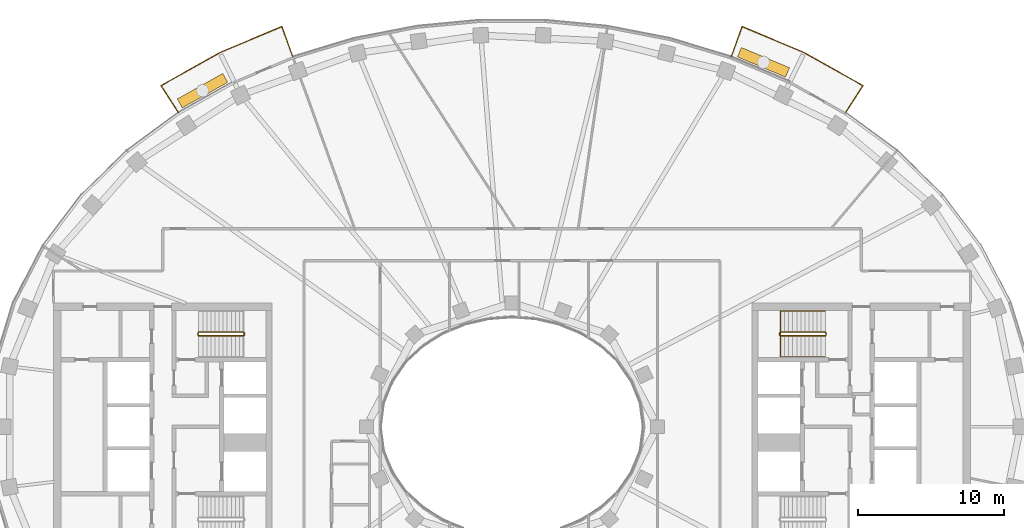
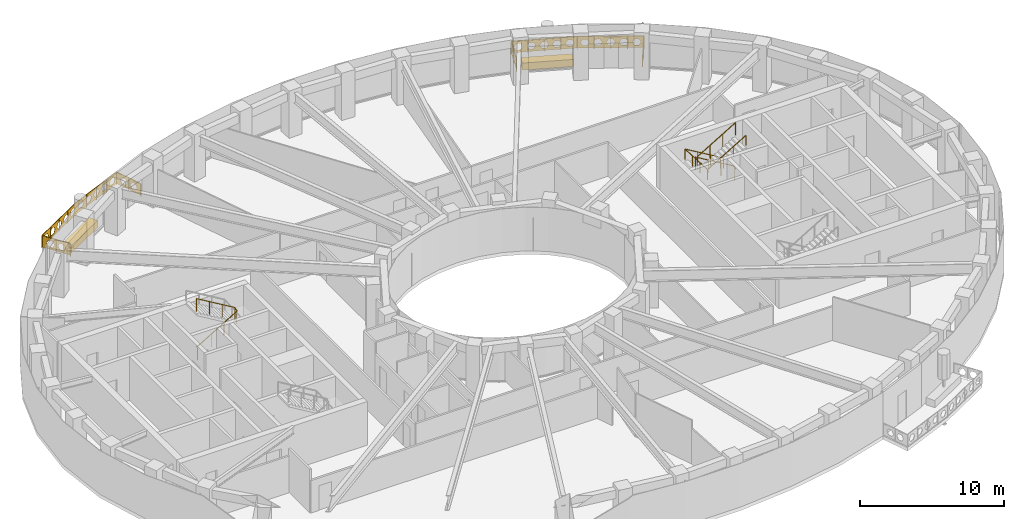
# One storey, part 14 of 15: 5 railings, 2 coverings.
"""IFC4 building model written with IfcOpenShell, lengths in metres."""

from ifc_helpers import new_model, si_unit, direction, frame, origin, origin_2d, place, context, subcontext, project, spatial, polyline, rectangle, outline, extrude, material, type_object, element, save


model = new_model("IFC4")

# Units and contexts
model_context = context("Model", 3, precision=1e-05, world=origin(), true_north=direction((0.0, 1.0)))
body_context = subcontext(model_context, "Body", "Model", "MODEL_VIEW")
ifc_project = project(units=[si_unit("LENGTHUNIT", "METRE"), si_unit("AREAUNIT", "SQUARE_METRE"), si_unit("VOLUMEUNIT", "CUBIC_METRE"), si_unit("PLANEANGLEUNIT", "RADIAN"), si_unit("MASSUNIT", "GRAM", prefix="KILO")], contexts=[model_context])

# Site, building, storey
site_placement = place(None, origin())
site = spatial("IfcSite", under=ifc_project, at=site_placement, CompositionType="ELEMENT")
building_placement = place(site_placement, origin())
building = spatial("IfcBuilding", under=site, at=building_placement, Name="Noorbagh Ring Tower", CompositionType="ELEMENT")
storey_placement = place(building_placement, frame((0.0, 0.0, 277.5)))
storey = spatial("IfcBuildingStorey", under=building, at=storey_placement, Name="L59", CompositionType="ELEMENT", Elevation=277.5)

# Railings
ifc_material_1 = material(Name="Stainless steel", Category="steel")
railing_type_1 = type_object("IfcRailingType", Name="CORE-STAIR-GUARD", PredefinedType="GUARDRAIL", material=ifc_material_1)
railing_1_placement = place(storey_placement, frame((-21.580078125, 6.300048828125, 0.0)))
element("IfcRailing", 1, at=railing_1_placement, inside=storey, type_object=railing_type_1, Name="L59 ST1 stair guard", PredefinedType="GUARDRAIL", context=body_context, shape_type="SweptSolid", body=[
    extrude(rectangle(XDim=0.048095703125, YDim=0.048095703125, at=origin_2d()), frame((0.0, 0.0, 1.076171875), z_axis=(0.0, 1.0, 0.0), x_axis=(-1.0, 0.0, 0.0)), (0.0, 0.0, 1.0), 0.14990234375),
    extrude(rectangle(XDim=0.048095703125, YDim=0.048095703125, at=origin_2d()), frame((0.0, 0.14990234375, 1.076171875), z_axis=(0.188775798145, -0.754182335027, 0.628945707965), x_axis=(0.970072785993, 0.242814311512, 0.0)), (0.0, 0.0, 1.0), 0.26513671875),
    extrude(rectangle(XDim=0.048095703125, YDim=0.048095703125, at=origin_2d()), frame((0.050048828125, -0.050048828125, 1.24267578125), z_axis=(0.859308565015, 0.0, 0.511457515432), x_axis=(0.0, 1.0, 0.0)), (0.0, 0.0, 1.0), 3.58447265625),
    extrude(rectangle(XDim=0.048095703125, YDim=0.048095703125, at=origin_2d()), frame((3.130126953125, -0.050048828125, 3.076171875), z_axis=(0.707106781187, 0.707106781187, 0.0), x_axis=(-0.707106781187, 0.707106781187, 0.0)), (0.0, 0.0, 1.0), 0.07080078125),
    extrude(rectangle(XDim=0.048095703125, YDim=0.048095703125, at=origin_2d()), frame((3.18017578125, 0.0, 3.076171875), z_axis=(0.0, 1.0, 0.0), x_axis=(-1.0, 0.0, 0.0)), (0.0, 0.0, 1.0), 0.14990234375),
    extrude(rectangle(XDim=0.048095703125, YDim=0.048095703125, at=origin_2d()), frame((3.18017578125, 0.14990234375, 3.076171875), z_axis=(-0.27628659633, 0.27628659633, 0.920506074601), x_axis=(-0.707106781187, -0.707106781187, 0.0)), (0.0, 0.0, 1.0), 0.18115234375),
    extrude(rectangle(XDim=0.048095703125, YDim=0.048095703125, at=origin_2d()), frame((3.130126953125, 0.199951171875, 3.24267578125), z_axis=(-0.859308565015, 0.0, 0.511457515432), x_axis=(0.0, -1.0, 0.0)), (0.0, 0.0, 1.0), 3.58447265625),
    extrude(rectangle(XDim=0.0419921875, YDim=0.0419921875, at=origin_2d()), origin(), (0.0, 0.0, 1.0), 1.052001953125),
    extrude(rectangle(XDim=0.0419921875, YDim=0.0419921875, at=origin_2d()), frame((1.07666015625, -0.050048828125, 0.77783203125)), (0.0, 0.0, 1.0), 1.052001953125),
    extrude(rectangle(XDim=0.0419921875, YDim=0.0419921875, at=origin_2d()), frame((2.103515625, -0.050048828125, 1.388916015625)), (0.0, 0.0, 1.0), 1.052001953125),
    extrude(rectangle(XDim=0.0419921875, YDim=0.0419921875, at=origin_2d()), frame((3.130126953125, -0.050048828125, 2.0)), (0.0, 0.0, 1.0), 1.052001953125),
    extrude(rectangle(XDim=0.0419921875, YDim=0.0419921875, at=origin_2d()), frame((3.130126953125, 0.199951171875, 2.166748046875)), (0.0, 0.0, 1.0), 1.052001953125),
    extrude(rectangle(XDim=0.0419921875, YDim=0.0419921875, at=origin_2d()), frame((2.103515625, 0.199951171875, 2.77783203125)), (0.0, 0.0, 1.0), 1.052001953125),
    extrude(rectangle(XDim=0.0419921875, YDim=0.0419921875, at=origin_2d()), frame((1.07666015625, 0.199951171875, 3.388916015625)), (0.0, 0.0, 1.0), 1.052001953125),
    extrude(rectangle(XDim=0.0419921875, YDim=0.0419921875, at=origin_2d()), frame((0.050048828125, 0.199951171875, 4.0)), (0.0, 0.0, 1.0), 1.052001953125),
])
railing_2_placement = place(storey_placement, frame((21.580078125, 6.449951171875, 0.0)))
element("IfcRailing", 2, at=railing_2_placement, inside=storey, type_object=railing_type_1, Name="L59 ST3 stair guard", PredefinedType="GUARDRAIL", context=body_context, shape_type="SweptSolid", body=[
    extrude(rectangle(XDim=0.048095703125, YDim=0.048095703125, at=origin_2d()), frame((0.0, 0.0, 1.076171875), z_axis=(0.0, -1.0, 0.0), x_axis=(1.0, 0.0, 0.0)), (0.0, 0.0, 1.0), 0.14990234375),
    extrude(rectangle(XDim=0.048095703125, YDim=0.048095703125, at=origin_2d()), frame((0.0, -0.14990234375, 1.076171875), z_axis=(-0.188775798145, 0.754182335027, 0.628945707965), x_axis=(-0.970072785993, -0.242814311512, 0.0)), (0.0, 0.0, 1.0), 0.26513671875),
    extrude(rectangle(XDim=0.048095703125, YDim=0.048095703125, at=origin_2d()), frame((-0.050048828125, 0.050048828125, 1.24267578125), z_axis=(-0.859308565015, 0.0, 0.511457515432), x_axis=(0.0, -1.0, 0.0)), (0.0, 0.0, 1.0), 3.58447265625),
    extrude(rectangle(XDim=0.048095703125, YDim=0.048095703125, at=origin_2d()), frame((-3.130126953125, 0.050048828125, 3.076171875), z_axis=(-0.707106781187, -0.707106781187, 0.0), x_axis=(0.707106781187, -0.707106781187, 0.0)), (0.0, 0.0, 1.0), 0.07080078125),
    extrude(rectangle(XDim=0.048095703125, YDim=0.048095703125, at=origin_2d()), frame((-3.18017578125, 0.0, 3.076171875), z_axis=(0.0, -1.0, 0.0), x_axis=(1.0, 0.0, 0.0)), (0.0, 0.0, 1.0), 0.14990234375),
    extrude(rectangle(XDim=0.048095703125, YDim=0.048095703125, at=origin_2d()), frame((-3.18017578125, -0.14990234375, 3.076171875), z_axis=(0.27628659633, -0.27628659633, 0.920506074601), x_axis=(0.707106781187, 0.707106781187, 0.0)), (0.0, 0.0, 1.0), 0.18115234375),
    extrude(rectangle(XDim=0.048095703125, YDim=0.048095703125, at=origin_2d()), frame((-3.130126953125, -0.199951171875, 3.24267578125), z_axis=(0.859308565015, 0.0, 0.511457515432), x_axis=(0.0, 1.0, 0.0)), (0.0, 0.0, 1.0), 3.58447265625),
    extrude(rectangle(XDim=0.0419921875, YDim=0.0419921875, at=origin_2d()), origin(), (0.0, 0.0, 1.0), 1.052001953125),
    extrude(rectangle(XDim=0.0419921875, YDim=0.0419921875, at=origin_2d()), frame((-1.07666015625, 0.050048828125, 0.77783203125)), (0.0, 0.0, 1.0), 1.052001953125),
    extrude(rectangle(XDim=0.0419921875, YDim=0.0419921875, at=origin_2d()), frame((-2.103515625, 0.050048828125, 1.388916015625)), (0.0, 0.0, 1.0), 1.052001953125),
    extrude(rectangle(XDim=0.0419921875, YDim=0.0419921875, at=origin_2d()), frame((-3.130126953125, 0.050048828125, 2.0)), (0.0, 0.0, 1.0), 1.052001953125),
    extrude(rectangle(XDim=0.0419921875, YDim=0.0419921875, at=origin_2d()), frame((-3.130126953125, -0.199951171875, 2.166748046875)), (0.0, 0.0, 1.0), 1.052001953125),
    extrude(rectangle(XDim=0.0419921875, YDim=0.0419921875, at=origin_2d()), frame((-2.103515625, -0.199951171875, 2.77783203125)), (0.0, 0.0, 1.0), 1.052001953125),
    extrude(rectangle(XDim=0.0419921875, YDim=0.0419921875, at=origin_2d()), frame((-1.07666015625, -0.199951171875, 3.388916015625)), (0.0, 0.0, 1.0), 1.052001953125),
    extrude(rectangle(XDim=0.0419921875, YDim=0.0419921875, at=origin_2d()), frame((-0.050048828125, -0.199951171875, 4.0)), (0.0, 0.0, 1.0), 1.052001953125),
])
ifc_material_2 = material(Name="Stainless steel", Category="steel")
railing_type_2 = type_object("IfcRailingType", Name="CORE-STAIR-HANDRAIL", PredefinedType="HANDRAIL", material=ifc_material_2)
railing_3_placement = place(storey_placement, frame((21.530029296875, 7.949951171875, 0.166748046875)))
element("IfcRailing", 3, at=railing_3_placement, inside=storey, type_object=railing_type_2, Name="L59 ST3 stair handrail", PredefinedType="HANDRAIL", context=body_context, shape_type="SweptSolid", body=[
    extrude(rectangle(XDim=0.048095703125, YDim=0.048095703125, at=origin_2d()), frame((0.0, 0.0, 0.8759765625), z_axis=(-0.859308565015, 0.0, 0.511457515432), x_axis=(0.0, -1.0, 0.0)), (0.0, 0.0, 1.0), 3.58447265625),
    extrude(rectangle(XDim=0.048095703125, YDim=0.048095703125, at=origin_2d()), frame((-3.080078125, 0.0, 2.708984375), z_axis=(0.0, -0.998601747152, 0.052863509014), x_axis=(1.0, 0.0, 0.0)), (0.0, 0.0, 1.0), 3.154296875),
    extrude(rectangle(XDim=0.048095703125, YDim=0.048095703125, at=origin_2d()), frame((-3.080078125, -3.14990234375, 2.8759765625), z_axis=(0.859308565015, 0.0, 0.511457515432), x_axis=(0.0, 1.0, 0.0)), (0.0, 0.0, 1.0), 3.58447265625),
    extrude(rectangle(XDim=0.0419921875, YDim=0.0419921875, at=origin_2d()), origin(), (0.0, 0.0, 1.0), 0.851806640625),
    extrude(rectangle(XDim=0.0419921875, YDim=0.0419921875, at=origin_2d()), frame((-1.026611328125, 0.0, 0.611083984375)), (0.0, 0.0, 1.0), 0.851806640625),
    extrude(rectangle(XDim=0.0419921875, YDim=0.0419921875, at=origin_2d()), frame((-2.053466796875, 0.0, 1.22216796875)), (0.0, 0.0, 1.0), 0.851806640625),
    extrude(rectangle(XDim=0.0419921875, YDim=0.0419921875, at=origin_2d()), frame((-3.080078125, 0.0, 1.833251953125)), (0.0, 0.0, 1.0), 0.851806640625),
    extrude(rectangle(XDim=0.0419921875, YDim=0.0419921875, at=origin_2d()), frame((-3.080078125, -1.050048828125, 1.888916015625)), (0.0, 0.0, 1.0), 0.851806640625),
    extrude(rectangle(XDim=0.0419921875, YDim=0.0419921875, at=origin_2d()), frame((-3.080078125, -2.099853515625, 1.9443359375)), (0.0, 0.0, 1.0), 0.851806640625),
    extrude(rectangle(XDim=0.0419921875, YDim=0.0419921875, at=origin_2d()), frame((-3.080078125, -3.14990234375, 2.0)), (0.0, 0.0, 1.0), 0.851806640625),
    extrude(rectangle(XDim=0.0419921875, YDim=0.0419921875, at=origin_2d()), frame((-2.053466796875, -3.14990234375, 2.611083984375)), (0.0, 0.0, 1.0), 0.851806640625),
    extrude(rectangle(XDim=0.0419921875, YDim=0.0419921875, at=origin_2d()), frame((-1.026611328125, -3.14990234375, 3.22216796875)), (0.0, 0.0, 1.0), 0.851806640625),
    extrude(rectangle(XDim=0.0419921875, YDim=0.0419921875, at=origin_2d()), frame((0.0, -3.14990234375, 3.833251953125)), (0.0, 0.0, 1.0), 0.851806640625),
])
ifc_material_3 = material(Name="Steel S275 black powder-coated", Category="steel")
railing_type_3 = type_object("IfcRailingType", Name="ENV-GUARD", PredefinedType="GUARDRAIL", material=ifc_material_3)
railing_4_placement = place(storey_placement, frame((22.9326171875, 21.583740234375, 0.0)))
element("IfcRailing", 4, at=railing_4_placement, inside=storey, type_object=railing_type_3, Name="Balcony guard BN02", PredefinedType="GUARDRAIL", context=body_context, shape_type="SweptSolid", body=[
    extrude(rectangle(XDim=0.048095703125, YDim=0.048095703125, at=origin_2d()), frame((0.0, 0.0, 1.076171875), z_axis=(0.542268136821, 0.840205491406, 0.0), x_axis=(-0.840205491406, 0.542268136821, 0.0)), (0.0, 0.0, 1.0), 2.204345703125),
    extrude(rectangle(XDim=0.048095703125, YDim=0.048095703125, at=origin_2d()), frame((1.1953125, 1.85205078125, 1.076171875), z_axis=(-0.872052247658, 0.489412788303, 0.0), x_axis=(-0.489412788303, -0.872052247658, 0.0)), (0.0, 0.0, 1.0), 4.646240234375),
    extrude(rectangle(XDim=0.048095703125, YDim=0.048095703125, at=origin_2d()), frame((-2.8564453125, 4.1259765625, 1.076171875), z_axis=(-0.921809087722, 0.387644174203, 0.0), x_axis=(-0.387644174203, -0.921809087722, 0.0)), (0.0, 0.0, 1.0), 4.627197265625),
    extrude(rectangle(XDim=0.048095703125, YDim=0.048095703125, at=origin_2d()), frame((-7.121826171875, 5.919677734375, 1.076171875), z_axis=(-0.338350546839, -0.941020141896, 0.0), x_axis=(0.941020141896, -0.338350546839, 0.0)), (0.0, 0.0, 1.0), 2.202880859375),
    extrude(rectangle(XDim=0.0419921875, YDim=0.0419921875, at=origin_2d()), origin(), (0.0, 0.0, 1.0), 1.052001953125),
    extrude(rectangle(XDim=0.0419921875, YDim=0.0419921875, at=origin_2d()), frame((0.59765625, 0.926025390625, 0.0)), (0.0, 0.0, 1.0), 1.052001953125),
    extrude(rectangle(XDim=0.0419921875, YDim=0.0419921875, at=origin_2d()), frame((1.1953125, 1.85205078125, 0.0)), (0.0, 0.0, 1.0), 1.052001953125),
    extrude(rectangle(XDim=0.0419921875, YDim=0.0419921875, at=origin_2d()), frame((0.182373046875, 2.42041015625, 0.0)), (0.0, 0.0, 1.0), 1.052001953125),
    extrude(rectangle(XDim=0.0419921875, YDim=0.0419921875, at=origin_2d()), frame((-0.83056640625, 2.989013671875, 0.0)), (0.0, 0.0, 1.0), 1.052001953125),
    extrude(rectangle(XDim=0.0419921875, YDim=0.0419921875, at=origin_2d()), frame((-1.843505859375, 3.5576171875, 0.0)), (0.0, 0.0, 1.0), 1.052001953125),
    extrude(rectangle(XDim=0.0419921875, YDim=0.0419921875, at=origin_2d()), frame((-2.8564453125, 4.1259765625, 0.0)), (0.0, 0.0, 1.0), 1.052001953125),
    extrude(rectangle(XDim=0.0419921875, YDim=0.0419921875, at=origin_2d()), frame((-3.9228515625, 4.574462890625, 0.0)), (0.0, 0.0, 1.0), 1.052001953125),
    extrude(rectangle(XDim=0.0419921875, YDim=0.0419921875, at=origin_2d()), frame((-4.9892578125, 5.02294921875, 0.0)), (0.0, 0.0, 1.0), 1.052001953125),
    extrude(rectangle(XDim=0.0419921875, YDim=0.0419921875, at=origin_2d()), frame((-6.055419921875, 5.47119140625, 0.0)), (0.0, 0.0, 1.0), 1.052001953125),
    extrude(rectangle(XDim=0.0419921875, YDim=0.0419921875, at=origin_2d()), frame((-7.121826171875, 5.919677734375, 0.0)), (0.0, 0.0, 1.0), 1.052001953125),
    extrude(rectangle(XDim=0.0419921875, YDim=0.0419921875, at=origin_2d()), frame((-7.49462890625, 4.88330078125, 0.0)), (0.0, 0.0, 1.0), 1.052001953125),
    extrude(rectangle(XDim=0.0419921875, YDim=0.0419921875, at=origin_2d()), frame((-7.8671875, 3.8466796875, 0.0)), (0.0, 0.0, 1.0), 1.052001953125),
    extrude(outline(polyline([(0.0, 0.10009765625), (2.204345703125, 0.10009765625), (2.204345703125, 1.031982421875), (0.0, 1.031982421875), (0.0, 0.10009765625)]), holes=[polyline([(0.962158203125, 0.56591796875), (0.80712890625, 0.83447265625), (0.4970703125, 0.83447265625), (0.342041015625, 0.56591796875), (0.4970703125, 0.297607421875), (0.80712890625, 0.297607421875), (0.962158203125, 0.56591796875)]), polyline([(1.862060546875, 0.56591796875), (1.70703125, 0.83447265625), (1.397216796875, 0.83447265625), (1.2421875, 0.56591796875), (1.397216796875, 0.297607421875), (1.70703125, 0.297607421875), (1.862060546875, 0.56591796875)])]), frame((-0.00830078125, 0.00537109375, 0.0), z_axis=(0.840205491406, -0.542268136821, 0.0), x_axis=(0.542268136821, 0.840205491406, 0.0)), (0.0, 0.0, 1.0), 0.02001953125),
    extrude(outline(polyline([(0.0, 0.10009765625), (4.646240234375, 0.10009765625), (4.646240234375, 1.031982421875), (0.0, 1.031982421875), (0.0, 0.10009765625)]), holes=[polyline([(0.8330078125, 0.56591796875), (0.67822265625, 0.83447265625), (0.3681640625, 0.83447265625), (0.213134765625, 0.56591796875), (0.3681640625, 0.297607421875), (0.67822265625, 0.297607421875), (0.8330078125, 0.56591796875)]), polyline([(1.733154296875, 0.56591796875), (1.578125, 0.83447265625), (1.26806640625, 0.83447265625), (1.113037109375, 0.56591796875), (1.26806640625, 0.297607421875), (1.578125, 0.297607421875), (1.733154296875, 0.56591796875)]), polyline([(2.633056640625, 0.56591796875), (2.47802734375, 0.83447265625), (2.168212890625, 0.83447265625), (2.01318359375, 0.56591796875), (2.168212890625, 0.297607421875), (2.47802734375, 0.297607421875), (2.633056640625, 0.56591796875)]), polyline([(3.533203125, 0.56591796875), (3.378173828125, 0.83447265625), (3.068115234375, 0.83447265625), (2.9130859375, 0.56591796875), (3.068115234375, 0.297607421875), (3.378173828125, 0.297607421875), (3.533203125, 0.56591796875)]), polyline([(4.43310546875, 0.56591796875), (4.278076171875, 0.83447265625), (3.968017578125, 0.83447265625), (3.813232421875, 0.56591796875), (3.968017578125, 0.297607421875), (4.278076171875, 0.297607421875), (4.43310546875, 0.56591796875)])]), frame((1.1904296875, 1.84326171875, 0.0), z_axis=(0.489412788303, 0.872052247658, 0.0), x_axis=(-0.872052247658, 0.489412788303, 0.0)), (0.0, 0.0, 1.0), 0.02001953125),
    extrude(outline(polyline([(0.0, 0.10009765625), (4.627197265625, 0.10009765625), (4.627197265625, 1.031982421875), (0.0, 1.031982421875), (0.0, 0.10009765625)]), holes=[polyline([(0.823486328125, 0.56591796875), (0.668701171875, 0.83447265625), (0.358642578125, 0.83447265625), (0.20361328125, 0.56591796875), (0.358642578125, 0.297607421875), (0.668701171875, 0.297607421875), (0.823486328125, 0.56591796875)]), polyline([(1.7236328125, 0.56591796875), (1.568603515625, 0.83447265625), (1.258544921875, 0.83447265625), (1.103515625, 0.56591796875), (1.258544921875, 0.297607421875), (1.568603515625, 0.297607421875), (1.7236328125, 0.56591796875)]), polyline([(2.62353515625, 0.56591796875), (2.468505859375, 0.83447265625), (2.15869140625, 0.83447265625), (2.003662109375, 0.56591796875), (2.15869140625, 0.297607421875), (2.468505859375, 0.297607421875), (2.62353515625, 0.56591796875)]), polyline([(3.523681640625, 0.56591796875), (3.36865234375, 0.83447265625), (3.05859375, 0.83447265625), (2.903564453125, 0.56591796875), (3.05859375, 0.297607421875), (3.36865234375, 0.297607421875), (3.523681640625, 0.56591796875)]), polyline([(4.423583984375, 0.56591796875), (4.2685546875, 0.83447265625), (3.95849609375, 0.83447265625), (3.8037109375, 0.56591796875), (3.95849609375, 0.297607421875), (4.2685546875, 0.297607421875), (4.423583984375, 0.56591796875)])]), frame((-2.8603515625, 4.11669921875, 0.0), z_axis=(0.387644174203, 0.921809087722, 0.0), x_axis=(-0.921809087722, 0.387644174203, 0.0)), (0.0, 0.0, 1.0), 0.02001953125),
    extrude(outline(polyline([(0.0, 0.10009765625), (2.202880859375, 0.10009765625), (2.202880859375, 1.031982421875), (0.0, 1.031982421875), (0.0, 0.10009765625)]), holes=[polyline([(0.96142578125, 0.56591796875), (0.806396484375, 0.83447265625), (0.49658203125, 0.83447265625), (0.341552734375, 0.56591796875), (0.49658203125, 0.297607421875), (0.806396484375, 0.297607421875), (0.96142578125, 0.56591796875)]), polyline([(1.861572265625, 0.56591796875), (1.70654296875, 0.83447265625), (1.396484375, 0.83447265625), (1.241455078125, 0.56591796875), (1.396484375, 0.297607421875), (1.70654296875, 0.297607421875), (1.861572265625, 0.56591796875)])]), frame((-7.1123046875, 5.916259765625, 0.0), z_axis=(-0.941020141896, 0.338350546839, 0.0), x_axis=(-0.338350546839, -0.941020141896, 0.0)), (0.0, 0.0, 1.0), 0.02001953125),
])
railing_5_placement = place(storey_placement, frame((-15.0654296875, 25.430419921875, 0.0)))
element("IfcRailing", 5, at=railing_5_placement, inside=storey, type_object=railing_type_3, Name="Balcony guard BN05", PredefinedType="GUARDRAIL", context=body_context, shape_type="SweptSolid", body=[
    extrude(rectangle(XDim=0.048095703125, YDim=0.048095703125, at=origin_2d()), frame((0.0, 0.0, 1.076171875), z_axis=(-0.338350546839, 0.941020141896, 0.0), x_axis=(-0.941020141896, -0.338350546839, 0.0)), (0.0, 0.0, 1.0), 2.202880859375),
    extrude(rectangle(XDim=0.048095703125, YDim=0.048095703125, at=origin_2d()), frame((-0.745361328125, 2.072998046875, 1.076171875), z_axis=(-0.921809087722, -0.387644174203, 0.0), x_axis=(0.387644174203, -0.921809087722, 0.0)), (0.0, 0.0, 1.0), 4.627197265625),
    extrude(rectangle(XDim=0.048095703125, YDim=0.048095703125, at=origin_2d()), frame((-5.0107421875, 0.279296875, 1.076171875), z_axis=(-0.872052247658, -0.489412788303, 0.0), x_axis=(0.489412788303, -0.872052247658, 0.0)), (0.0, 0.0, 1.0), 4.646240234375),
    extrude(rectangle(XDim=0.048095703125, YDim=0.048095703125, at=origin_2d()), frame((-9.0625, -1.99462890625, 1.076171875), z_axis=(0.542268136821, -0.840205491406, 0.0), x_axis=(0.840205491406, 0.542268136821, 0.0)), (0.0, 0.0, 1.0), 2.204345703125),
    extrude(rectangle(XDim=0.0419921875, YDim=0.0419921875, at=origin_2d()), origin(), (0.0, 0.0, 1.0), 1.052001953125),
    extrude(rectangle(XDim=0.0419921875, YDim=0.0419921875, at=origin_2d()), frame((-0.37255859375, 1.03662109375, 0.0)), (0.0, 0.0, 1.0), 1.052001953125),
    extrude(rectangle(XDim=0.0419921875, YDim=0.0419921875, at=origin_2d()), frame((-0.745361328125, 2.072998046875, 0.0)), (0.0, 0.0, 1.0), 1.052001953125),
    extrude(rectangle(XDim=0.0419921875, YDim=0.0419921875, at=origin_2d()), frame((-1.811767578125, 1.62451171875, 0.0)), (0.0, 0.0, 1.0), 1.052001953125),
    extrude(rectangle(XDim=0.0419921875, YDim=0.0419921875, at=origin_2d()), frame((-2.8779296875, 1.17626953125, 0.0)), (0.0, 0.0, 1.0), 1.052001953125),
    extrude(rectangle(XDim=0.0419921875, YDim=0.0419921875, at=origin_2d()), frame((-3.9443359375, 0.727783203125, 0.0)), (0.0, 0.0, 1.0), 1.052001953125),
    extrude(rectangle(XDim=0.0419921875, YDim=0.0419921875, at=origin_2d()), frame((-5.0107421875, 0.279296875, 0.0)), (0.0, 0.0, 1.0), 1.052001953125),
    extrude(rectangle(XDim=0.0419921875, YDim=0.0419921875, at=origin_2d()), frame((-6.023681640625, -0.2890625, 0.0)), (0.0, 0.0, 1.0), 1.052001953125),
    extrude(rectangle(XDim=0.0419921875, YDim=0.0419921875, at=origin_2d()), frame((-7.03662109375, -0.857666015625, 0.0)), (0.0, 0.0, 1.0), 1.052001953125),
    extrude(rectangle(XDim=0.0419921875, YDim=0.0419921875, at=origin_2d()), frame((-8.049560546875, -1.42626953125, 0.0)), (0.0, 0.0, 1.0), 1.052001953125),
    extrude(rectangle(XDim=0.0419921875, YDim=0.0419921875, at=origin_2d()), frame((-9.0625, -1.99462890625, 0.0)), (0.0, 0.0, 1.0), 1.052001953125),
    extrude(rectangle(XDim=0.0419921875, YDim=0.0419921875, at=origin_2d()), frame((-8.46484375, -2.920654296875, 0.0)), (0.0, 0.0, 1.0), 1.052001953125),
    extrude(rectangle(XDim=0.0419921875, YDim=0.0419921875, at=origin_2d()), frame((-7.8671875, -3.8466796875, 0.0)), (0.0, 0.0, 1.0), 1.052001953125),
    extrude(outline(polyline([(0.0, 0.10009765625), (2.202880859375, 0.10009765625), (2.202880859375, 1.031982421875), (0.0, 1.031982421875), (0.0, 0.10009765625)]), holes=[polyline([(0.96142578125, 0.56591796875), (0.806396484375, 0.83447265625), (0.49658203125, 0.83447265625), (0.341552734375, 0.56591796875), (0.49658203125, 0.297607421875), (0.806396484375, 0.297607421875), (0.96142578125, 0.56591796875)]), polyline([(1.861572265625, 0.56591796875), (1.70654296875, 0.83447265625), (1.396484375, 0.83447265625), (1.241455078125, 0.56591796875), (1.396484375, 0.297607421875), (1.70654296875, 0.297607421875), (1.861572265625, 0.56591796875)])]), frame((-0.009521484375, -0.00341796875, 0.0), z_axis=(0.941020141896, 0.338350546839, 0.0), x_axis=(-0.338350546839, 0.941020141896, 0.0)), (0.0, 0.0, 1.0), 0.02001953125),
    extrude(outline(polyline([(0.0, 0.10009765625), (4.627197265625, 0.10009765625), (4.627197265625, 1.031982421875), (0.0, 1.031982421875), (0.0, 0.10009765625)]), holes=[polyline([(0.823486328125, 0.56591796875), (0.668701171875, 0.83447265625), (0.358642578125, 0.83447265625), (0.20361328125, 0.56591796875), (0.358642578125, 0.297607421875), (0.668701171875, 0.297607421875), (0.823486328125, 0.56591796875)]), polyline([(1.7236328125, 0.56591796875), (1.568603515625, 0.83447265625), (1.258544921875, 0.83447265625), (1.103515625, 0.56591796875), (1.258544921875, 0.297607421875), (1.568603515625, 0.297607421875), (1.7236328125, 0.56591796875)]), polyline([(2.62353515625, 0.56591796875), (2.468505859375, 0.83447265625), (2.15869140625, 0.83447265625), (2.003662109375, 0.56591796875), (2.15869140625, 0.297607421875), (2.468505859375, 0.297607421875), (2.62353515625, 0.56591796875)]), polyline([(3.523681640625, 0.56591796875), (3.36865234375, 0.83447265625), (3.05859375, 0.83447265625), (2.903564453125, 0.56591796875), (3.05859375, 0.297607421875), (3.36865234375, 0.297607421875), (3.523681640625, 0.56591796875)]), polyline([(4.423583984375, 0.56591796875), (4.2685546875, 0.83447265625), (3.95849609375, 0.83447265625), (3.8037109375, 0.56591796875), (3.95849609375, 0.297607421875), (4.2685546875, 0.297607421875), (4.423583984375, 0.56591796875)])]), frame((-0.741455078125, 2.063720703125, 0.0), z_axis=(-0.387644174203, 0.921809087722, 0.0), x_axis=(-0.921809087722, -0.387644174203, 0.0)), (0.0, 0.0, 1.0), 0.02001953125),
    extrude(outline(polyline([(0.0, 0.10009765625), (4.646240234375, 0.10009765625), (4.646240234375, 1.031982421875), (0.0, 1.031982421875), (0.0, 0.10009765625)]), holes=[polyline([(0.8330078125, 0.56591796875), (0.67822265625, 0.83447265625), (0.3681640625, 0.83447265625), (0.213134765625, 0.56591796875), (0.3681640625, 0.297607421875), (0.67822265625, 0.297607421875), (0.8330078125, 0.56591796875)]), polyline([(1.733154296875, 0.56591796875), (1.578125, 0.83447265625), (1.26806640625, 0.83447265625), (1.113037109375, 0.56591796875), (1.26806640625, 0.297607421875), (1.578125, 0.297607421875), (1.733154296875, 0.56591796875)]), polyline([(2.633056640625, 0.56591796875), (2.47802734375, 0.83447265625), (2.168212890625, 0.83447265625), (2.01318359375, 0.56591796875), (2.168212890625, 0.297607421875), (2.47802734375, 0.297607421875), (2.633056640625, 0.56591796875)]), polyline([(3.533203125, 0.56591796875), (3.378173828125, 0.83447265625), (3.068115234375, 0.83447265625), (2.9130859375, 0.56591796875), (3.068115234375, 0.297607421875), (3.378173828125, 0.297607421875), (3.533203125, 0.56591796875)]), polyline([(4.43310546875, 0.56591796875), (4.278076171875, 0.83447265625), (3.968017578125, 0.83447265625), (3.813232421875, 0.56591796875), (3.968017578125, 0.297607421875), (4.278076171875, 0.297607421875), (4.43310546875, 0.56591796875)])]), frame((-5.005859375, 0.2705078125, 0.0), z_axis=(-0.489412788303, 0.872052247658, 0.0), x_axis=(-0.872052247658, -0.489412788303, 0.0)), (0.0, 0.0, 1.0), 0.02001953125),
    extrude(outline(polyline([(0.0, 0.10009765625), (2.204345703125, 0.10009765625), (2.204345703125, 1.031982421875), (0.0, 1.031982421875), (0.0, 0.10009765625)]), holes=[polyline([(0.962158203125, 0.56591796875), (0.80712890625, 0.83447265625), (0.4970703125, 0.83447265625), (0.342041015625, 0.56591796875), (0.4970703125, 0.297607421875), (0.80712890625, 0.297607421875), (0.962158203125, 0.56591796875)]), polyline([(1.862060546875, 0.56591796875), (1.70703125, 0.83447265625), (1.397216796875, 0.83447265625), (1.2421875, 0.56591796875), (1.397216796875, 0.297607421875), (1.70703125, 0.297607421875), (1.862060546875, 0.56591796875)])]), frame((-9.05419921875, -1.9892578125, 0.0), z_axis=(-0.840205491406, -0.542268136821, 0.0), x_axis=(0.542268136821, -0.840205491406, 0.0)), (0.0, 0.0, 1.0), 0.02001953125),
])

# Coverings
ifc_material_4 = material(Name="Concrete C30/37 planter with soil", Category="concrete")
covering_type = type_object("IfcCoveringType", Name="ENV-PLANTER", PredefinedType="CLADDING", material=ifc_material_4)
covering_1_placement = place(storey_placement, frame((17.280517578125, 25.041259765625, 0.0), z_axis=(0.0, 0.0, 1.0), x_axis=(-0.921811566494, 0.387638279686, 0.0)))
element("IfcCovering", 6, at=covering_1_placement, inside=storey, type_object=covering_type, Name="PLANTER BN02", ObjectType="PLANTER", PredefinedType="CLADDING", context=body_context, shape_type="SweptSolid", body=[
    extrude(rectangle(XDim=3.5859375, YDim=0.699951171875, at=origin_2d()), origin(), (0.0, 0.0, 1.0), 0.60009765625),
])
covering_2_placement = place(storey_placement, frame((-21.26513671875, 23.093017578125, 0.0), z_axis=(0.0, 0.0, 1.0), x_axis=(-0.872044586249, -0.48942643941, 0.0)))
element("IfcCovering", 7, at=covering_2_placement, inside=storey, type_object=covering_type, Name="PLANTER BN05", ObjectType="PLANTER", PredefinedType="CLADDING", context=body_context, shape_type="SweptSolid", body=[
    extrude(rectangle(XDim=3.58544921875, YDim=0.699951171875, at=origin_2d()), origin(), (0.0, 0.0, 1.0), 0.60009765625),
])

save(model, "model.ifc")
